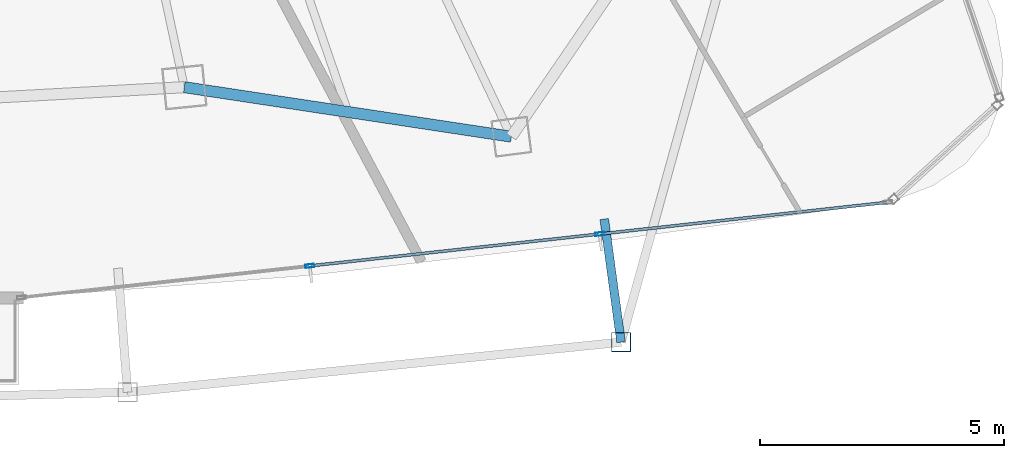
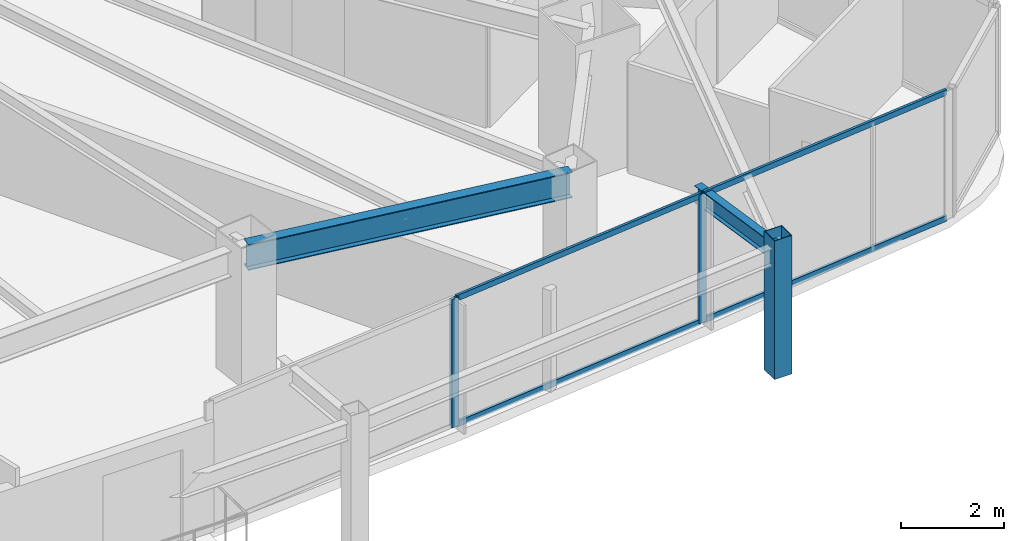
# One storey, part 12 of 33: 7 members, 2 beams, 1 element without a shape of its own.
"""IFC4 building model written with IfcOpenShell, lengths in metres."""

from ifc_helpers import new_model, si_unit, direction, frame, origin, origin_2d, place, context, subcontext, project, spatial, hollow_rectangle, i_section, extrude, material, layer, layer_set, material_profile, profile_set, type_object, element, aggregate, save


model = new_model("IFC4")

# Units and contexts
model_context = context("Model", 3, precision=1e-05, world=origin(), true_north=direction((0.0, 1.0)))
body_context = subcontext(model_context, "Body", "Model", "MODEL_VIEW")
ifc_project = project(units=[si_unit("LENGTHUNIT", "METRE"), si_unit("AREAUNIT", "SQUARE_METRE"), si_unit("VOLUMEUNIT", "CUBIC_METRE"), si_unit("PLANEANGLEUNIT", "RADIAN"), si_unit("MASSUNIT", "GRAM", prefix="KILO")], contexts=[model_context])

# Site, building, storey
site_placement = place(None, origin())
site = spatial("IfcSite", under=ifc_project, at=site_placement, CompositionType="ELEMENT")
building_placement = place(site_placement, origin())
building = spatial("IfcBuilding", under=site, at=building_placement, Name="Orvanel Arch Residences", CompositionType="ELEMENT")
storey_placement = place(building_placement, frame((0.0, 0.0, 119.89990234375)))
storey = spatial("IfcBuildingStorey", under=building, at=storey_placement, Name="L33", CompositionType="ELEMENT", Elevation=119.89990234375)

# Curtain wall, members
ifc_material_1 = material(Name="Bronze-anodised aluminium AA6063-T6", Category="aluminium")
ifc_layer = layer(ifc_material_1, 0.179931640625)
ifc_layer_set = layer_set([ifc_layer], Name="Bronze-anodised aluminium AA6063-T6")
curtain_wall_type = type_object("IfcCurtainWallType", Name="CW3-MID-SYS", PredefinedType="NOTDEFINED", material=ifc_layer_set)
curtain_wall_placement = place(storey_placement, origin())
curtain_wall = element("IfcCurtainWall", 1, at=curtain_wall_placement, inside=storey, type_object=curtain_wall_type, Name="L33 CW3-MID-SYS Unitised Curtain Wall", PredefinedType="NOTDEFINED")
ifc_material_profile_1 = material_profile(ifc_material_1, hollow_rectangle(XDim=0.070068359375, YDim=0.179931640625, WallThickness=0.00439453125, at=origin_2d()), Name="ALU180x70x4.5")
ifc_profile_set_1 = profile_set([ifc_material_profile_1], Name="Bronze-anodised aluminium AA6063-T6")
member_type_1 = type_object("IfcMemberType", Name="MUL-180x70", PredefinedType="MULLION", material=ifc_profile_set_1)
member_1_placement = place(storey_placement, frame((44.92431640625, 3.689453125, 0.0), z_axis=(0.0, 0.0, 1.0), x_axis=(-0.109397745116, 0.99399805501, 0.0)))
member_1 = element("IfcMember", 2, at=member_1_placement, type_object=member_type_1, Name="CW-S3 mullion 2", PredefinedType="MULLION", context=body_context, shape_type="SweptSolid", body=[
    extrude(hollow_rectangle(XDim=0.070068359375, YDim=0.179931640625, WallThickness=0.00439453125, at=origin_2d()), origin(), (0.0, 0.0, 1.0), 3.06005859375),
])
member_2_placement = place(storey_placement, frame((50.86962890625, 4.34375, 0.0), z_axis=(0.0, 0.0, 1.0), x_axis=(-0.109397745116, 0.99399805501, 0.0)))
member_2 = element("IfcMember", 3, at=member_2_placement, type_object=member_type_1, Name="CW-S3 mullion 3", PredefinedType="MULLION", context=body_context, shape_type="SweptSolid", body=[
    extrude(hollow_rectangle(XDim=0.070068359375, YDim=0.179931640625, WallThickness=0.00439453125, at=origin_2d()), origin(), (0.0, 0.0, 1.0), 3.06005859375),
])

# Beams
ifc_material_2 = material(Name="Structural steel AS/NZS 3679.1 Grade 300 (300 MPa)", Category="steel")
ifc_material_profile_2 = material_profile(ifc_material_2, i_section(OverallWidth=0.177978515625, OverallDepth=0.406005859375, WebThickness=0.0078125, FlangeThickness=0.0126953125, at=origin_2d()), Name="410UB59.7")
ifc_profile_set_2 = profile_set([ifc_material_profile_2], Name="Structural steel AS/NZS 3679.1 Grade 300 (300 MPa)")
beam_type_1 = type_object("IfcBeamType", Name="OB-410UB-EXT", PredefinedType="SPANDREL", material=ifc_profile_set_2)
beam_1_placement = place(storey_placement, frame((50.964111328125, 4.65087890625, 2.857177734375), z_axis=(0.135318332922, -0.99080217439, 0.0), x_axis=(0.99080217439, 0.135318332922, 0.0)))
element("IfcBeam", 4, at=beam_1_placement, inside=storey, type_object=beam_type_1, Name="L33 Outer Frame Radial Tie Beam 08", PredefinedType="SPANDREL", context=body_context, shape_type="SweptSolid", body=[
    extrude(i_section(OverallWidth=0.177978515625, OverallDepth=0.406005859375, WebThickness=0.0078125, FlangeThickness=0.0126953125, at=origin_2d()), origin(), (0.0, 0.0, 1.0), 2.54931640625),
])
ifc_material_profile_3 = material_profile(ifc_material_2, i_section(OverallWidth=0.22900390625, OverallDepth=0.612060546875, WebThickness=0.011962890625, FlangeThickness=0.01953125, at=origin_2d()), Name="610UB125")
ifc_profile_set_3 = profile_set([ifc_material_profile_3], Name="Structural steel AS/NZS 3679.1 Grade 300 (300 MPa)")
beam_type_2 = type_object("IfcBeamType", Name="SP-610UB", PredefinedType="SPANDREL", material=ifc_profile_set_3)
beam_2_placement = place(storey_placement, frame((42.35107421875, 7.35498046875, 2.754150390625), z_axis=(0.988726323014, -0.149733958002, 0.0), x_axis=(0.149733958002, 0.988726323014, 0.0)))
element("IfcBeam", 5, at=beam_2_placement, inside=storey, type_object=beam_type_2, Name="L33 Perimeter Spandrel Beam 07", PredefinedType="SPANDREL", context=body_context, shape_type="SweptSolid", body=[
    extrude(i_section(OverallWidth=0.22900390625, OverallDepth=0.612060546875, WebThickness=0.011962890625, FlangeThickness=0.01953125, at=origin_2d()), origin(), (0.0, 0.0, 1.0), 6.784423828125),
])

# Member
ifc_material_3 = material(Name="Structural steel AS/NZS 1163 C450L0 (Grade 450)", Category="steel")
ifc_material_profile_4 = material_profile(ifc_material_3, hollow_rectangle(XDim=0.39990234375, YDim=0.39990234375, WallThickness=0.01611328125, at=origin_2d()), Name="SHS400x400x16")
ifc_profile_set_4 = profile_set([ifc_material_profile_4], Name="Structural steel AS/NZS 1163 C450L0 (Grade 450)")
member_type_2 = type_object("IfcMemberType", Name="ST-400SHS-EXT", PredefinedType="STRUT", material=ifc_profile_set_4)
member_3_placement = place(storey_placement, frame((51.30908203125, 2.125, 0.0), z_axis=(0.0, 0.0, 1.0), x_axis=(1.0, 0.0, 0.0)))
element("IfcMember", 6, at=member_3_placement, inside=storey, type_object=member_type_2, Name="L33 Outer Perimeter Frame Post 08", PredefinedType="STRUT", context=body_context, shape_type="SweptSolid", body=[
    extrude(hollow_rectangle(XDim=0.39990234375, YDim=0.39990234375, WallThickness=0.01611328125, at=origin_2d()), origin(), (0.0, 0.0, 1.0), 3.300048828125),
])

ifc_material_profile_5 = material_profile(ifc_material_1, hollow_rectangle(XDim=0.06005859375, YDim=0.135009765625, WallThickness=0.00390625, at=origin_2d()), Name="ALU135x60x4")
ifc_profile_set_5 = profile_set([ifc_material_profile_5], Name="Bronze-anodised aluminium AA6063-T6")
member_type_3 = type_object("IfcMemberType", Name="TRN-135x60", PredefinedType="USERDEFINED", material=ifc_profile_set_5)
member_4_placement = place(storey_placement, frame((44.959228515625, 3.693115234375, 0.030029296875), z_axis=(0.99399703693, 0.10940699509, 0.0), x_axis=(-0.10940699509, 0.99399703693, 0.0)))
member_4 = element("IfcMember", 7, at=member_4_placement, type_object=member_type_3, Name="CW-S3 transom 2.1", ObjectType="TRANSOM", PredefinedType="USERDEFINED", context=body_context, shape_type="SweptSolid", body=[
    extrude(hollow_rectangle(XDim=0.06005859375, YDim=0.135009765625, WallThickness=0.00390625, at=origin_2d()), origin(), (0.0, 0.0, 1.0), 5.9111328125),
])

member_5_placement = place(storey_placement, frame((44.959228515625, 3.693115234375, 3.030029296875), z_axis=(0.99399703693, 0.10940699509, 0.0), x_axis=(-0.10940699509, 0.99399703693, 0.0)))
member_5 = element("IfcMember", 8, at=member_5_placement, type_object=member_type_3, Name="CW-S3 transom 2.2", ObjectType="TRANSOM", PredefinedType="USERDEFINED", context=body_context, shape_type="SweptSolid", body=[
    extrude(hollow_rectangle(XDim=0.06005859375, YDim=0.135009765625, WallThickness=0.00390625, at=origin_2d()), origin(), (0.0, 0.0, 1.0), 5.9111328125),
])

member_6_placement = place(storey_placement, frame((50.904541015625, 4.347412109375, 0.030029296875), z_axis=(0.993998213072, 0.109396308937, 0.0), x_axis=(-0.109396308937, 0.993998213072, 0.0)))
member_6 = element("IfcMember", 9, at=member_6_placement, type_object=member_type_3, Name="CW-S3 transom 3.1", ObjectType="TRANSOM", PredefinedType="USERDEFINED", context=body_context, shape_type="SweptSolid", body=[
    extrude(hollow_rectangle(XDim=0.06005859375, YDim=0.135009765625, WallThickness=0.00390625, at=origin_2d()), origin(), (0.0, 0.0, 1.0), 5.8759765625),
])

member_7_placement = place(storey_placement, frame((50.904541015625, 4.347412109375, 3.030029296875), z_axis=(0.993998213072, 0.109396308937, 0.0), x_axis=(-0.109396308937, 0.993998213072, 0.0)))
member_7 = element("IfcMember", 10, at=member_7_placement, type_object=member_type_3, Name="CW-S3 transom 3.2", ObjectType="TRANSOM", PredefinedType="USERDEFINED", context=body_context, shape_type="SweptSolid", body=[
    extrude(hollow_rectangle(XDim=0.06005859375, YDim=0.135009765625, WallThickness=0.00390625, at=origin_2d()), origin(), (0.0, 0.0, 1.0), 5.8759765625),
])

aggregate(curtain_wall, [member_1, member_2, member_4, member_5, member_6, member_7])

save(model, "model.ifc")
